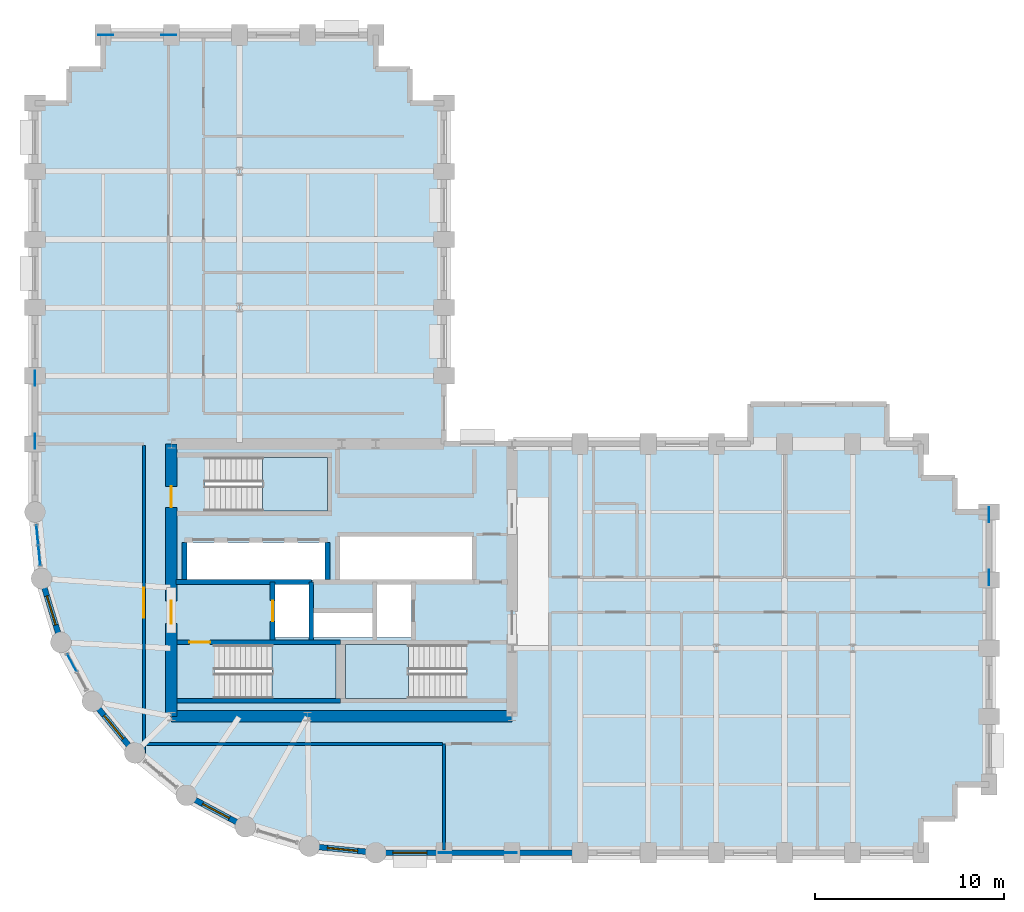
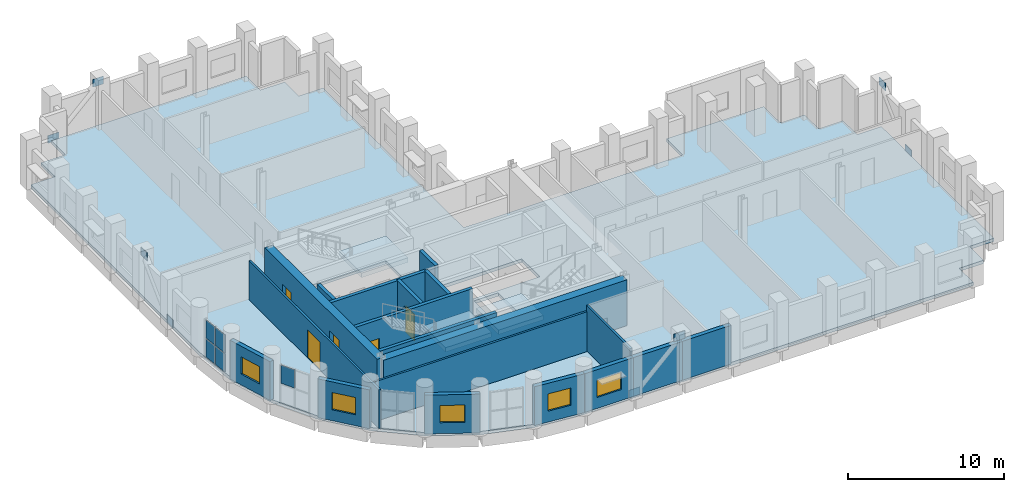
# One storey, part 7 of 13: 19 walls, 13 plates, 5 doors, 5 windows, 4 slabs, 10 openings, 5 elements without a shape of their own.
"""IFC4 building model written with IfcOpenShell, lengths in metres."""

from ifc_helpers import new_model, si_unit, direction, frame, frame_2d, origin, origin_2d, place, context, subcontext, project, spatial, polyline, rectangle, outline, extrude, material, layer, layer_set, type_object, element, fill, aggregate, save


model = new_model("IFC4")

# Units and contexts
model_context = context("Model", 3, precision=1e-05, world=origin(), true_north=direction((0.0, 1.0)))
body_context = subcontext(model_context, "Body", "Model", "MODEL_VIEW")
ifc_project = project(units=[si_unit("LENGTHUNIT", "METRE"), si_unit("AREAUNIT", "SQUARE_METRE"), si_unit("VOLUMEUNIT", "CUBIC_METRE"), si_unit("PLANEANGLEUNIT", "RADIAN"), si_unit("MASSUNIT", "GRAM", prefix="KILO")], contexts=[model_context])

# Site, building, storey
site_placement = place(None, origin())
site = spatial("IfcSite", under=ifc_project, at=site_placement, CompositionType="ELEMENT")
building_placement = place(site_placement, origin())
building = spatial("IfcBuilding", under=site, at=building_placement, Name="Solnavia Interchange Tower", CompositionType="ELEMENT")
storey_placement = place(building_placement, frame((0.0, 0.0, 111.300048828125)))
storey = spatial("IfcBuildingStorey", under=building, at=storey_placement, Name="L27", CompositionType="ELEMENT", Elevation=111.300048828125)

# Curtain wall, plates
ifc_material_1 = material(Name="Aluminium Alloy 6063-T6", Category="aluminium")
ifc_layer_1 = layer(ifc_material_1, 0.239990234375)
ifc_layer_set_1 = layer_set([ifc_layer_1], Name="Aluminium Alloy 6063-T6")
curtain_wall_type = type_object("IfcCurtainWallType", Name="CurtainWall-Drum-CTW2", PredefinedType="NOTDEFINED", material=ifc_layer_set_1)
curtain_wall_1_placement = place(storey_placement, origin())
curtain_wall_1 = element("IfcCurtainWall", 1, at=curtain_wall_1_placement, inside=storey, type_object=curtain_wall_type, Name="CTW-L27-D55 CTW-2 curtain wall", PredefinedType="NOTDEFINED")
ifc_material_2 = material(Name="Double-Glazed Low-E IGU Glass", Category="glass")
ifc_layer_2 = layer(ifc_material_2, 0.031982421875)
ifc_layer_set_2 = layer_set([ifc_layer_2], Name="Double-Glazed Low-E IGU Glass")
plate_type_1 = type_object("IfcPlateType", Name="CW-Panel-Solar-32", PredefinedType="CURTAIN_PANEL", material=ifc_layer_set_2)
plate_1_placement = place(storey_placement, frame((7.319580078125, 20.38623046875, 0.06494140625), z_axis=(0.0, 0.0, 1.0), x_axis=(0.098045297616, -0.995181953019, 0.0)))
plate_1 = element("IfcPlate", 2, at=plate_1_placement, type_object=plate_type_1, Name="CTW-2 panel 1.1", PredefinedType="CURTAIN_PANEL", context=body_context, shape_type="SweptSolid", body=[
    extrude(rectangle(XDim=1.0146484375, YDim=0.031982421875, at=origin_2d()), origin(), (0.0, 0.0, 1.0), 1.41748046875),
])
plate_2_placement = place(storey_placement, frame((7.319580078125, 20.38623046875, 1.54736328125), z_axis=(0.0, 0.0, 1.0), x_axis=(0.098045297616, -0.995181953019, 0.0)))
plate_2 = element("IfcPlate", 3, at=plate_2_placement, type_object=plate_type_1, Name="CTW-2 panel 1.2", PredefinedType="CURTAIN_PANEL", context=body_context, shape_type="SweptSolid", body=[
    extrude(rectangle(XDim=1.0146484375, YDim=0.031982421875, at=origin_2d()), origin(), (0.0, 0.0, 1.0), 1.41748046875),
])
plate_3_placement = place(storey_placement, frame((7.426513671875, 19.3017578125, 0.06494140625), z_axis=(0.0, 0.0, 1.0), x_axis=(0.098045297616, -0.995181953019, 0.0)))
plate_3 = element("IfcPlate", 4, at=plate_3_placement, type_object=plate_type_1, Name="CTW-2 panel 2.1", PredefinedType="CURTAIN_PANEL", context=body_context, shape_type="SweptSolid", body=[
    extrude(rectangle(XDim=1.0146484375, YDim=0.031982421875, at=origin_2d()), origin(), (0.0, 0.0, 1.0), 1.41748046875),
])
plate_4_placement = place(storey_placement, frame((7.426513671875, 19.3017578125, 1.54736328125), z_axis=(0.0, 0.0, 1.0), x_axis=(0.098045297616, -0.995181953019, 0.0)))
plate_4 = element("IfcPlate", 5, at=plate_4_placement, type_object=plate_type_1, Name="CTW-2 panel 2.2", PredefinedType="CURTAIN_PANEL", context=body_context, shape_type="SweptSolid", body=[
    extrude(rectangle(XDim=1.0146484375, YDim=0.031982421875, at=origin_2d()), origin(), (0.0, 0.0, 1.0), 1.41748046875),
])
aggregate(curtain_wall_1, [plate_1, plate_2, plate_3, plate_4])

# Curtain wall, plate
curtain_wall_2_placement = place(storey_placement, origin())
curtain_wall_2 = element("IfcCurtainWall", 6, at=curtain_wall_2_placement, inside=storey, type_object=curtain_wall_type, Name="CTW-L27-D57 CTW-2 curtain wall", PredefinedType="NOTDEFINED")
plate_5_placement = place(storey_placement, frame((9.14501953125, 13.636474609375, 1.54736328125), z_axis=(0.0, 0.0, 1.0), x_axis=(0.471536719402, -0.881846427818, 0.0)))
plate_5 = element("IfcPlate", 7, at=plate_5_placement, type_object=plate_type_1, Name="CTW-2 panel 1.2", PredefinedType="CURTAIN_PANEL", context=body_context, shape_type="SweptSolid", body=[
    extrude(rectangle(XDim=1.014404296875, YDim=0.031982421875, at=origin_2d()), origin(), (0.0, 0.0, 1.0), 1.41748046875),
])
aggregate(curtain_wall_2, [plate_5])

# Plates
ifc_material_3 = material(Name="Steel S460", Category="steel")
ifc_layer_3 = layer(ifc_material_3, 0.035888671875)
ifc_layer_set_3 = layer_set([ifc_layer_3], Name="Steel S460")
plate_type_2 = type_object("IfcPlateType", Name="Plate-Gusset-800x600x36", PredefinedType="USERDEFINED", material=ifc_layer_set_3)
for number, where, z_axis, x_axis, name in (
    (8, (28.93994140625, 3.60009765625, -0.1201171875), (0.0, 0.0, 1.0), (1.0, 0.0, 0.0), "PLT-L27-GP01 Perimeter brace gusset plate"),
    (9, (32.260009765625, 3.60009765625, 3.099853515625), (0.0, 0.0, 1.0), (1.0, 0.0, 0.0), "PLT-L27-GP02 Perimeter brace gusset plate"),
    (10, (7.199951171875, 25.340087890625, -0.1201171875), (0.0, 0.0, 1.0), (0.0, 1.0, 0.0), "PLT-L27-GP03 Perimeter brace gusset plate"),
    (11, (7.199951171875, 28.659912109375, 3.099853515625), (0.0, 0.0, 1.0), (0.0, 1.0, 0.0), "PLT-L27-GP04 Perimeter brace gusset plate"),
    (12, (57.60009765625, 18.139892578125, -0.1201171875), (0.0, 0.0, 1.0), (0.0, 1.0, 0.0), "PLT-L27-GP05 Perimeter brace gusset plate"),
    (13, (57.60009765625, 21.4599609375, 3.099853515625), (0.0, 0.0, 1.0), (0.0, 1.0, 0.0), "PLT-L27-GP06 Perimeter brace gusset plate"),
    (14, (10.93994140625, 46.800048828125, -0.1201171875), (0.0, 0.0, 1.0), (1.0, 0.0, 0.0), "PLT-L27-GP07 Perimeter brace gusset plate"),
    (15, (14.260009765625, 46.800048828125, 3.099853515625), (0.0, 0.0, 1.0), (1.0, 0.0, 0.0), "PLT-L27-GP08 Perimeter brace gusset plate"),
):
    element("IfcPlate", number, at=place(storey_placement, frame(where, z_axis=z_axis, x_axis=x_axis)), inside=storey, type_object=plate_type_2, Name=name, ObjectType="GUSSET PLATE", PredefinedType="USERDEFINED", context=body_context, shape_type="SweptSolid", body=[
        extrude(rectangle(XDim=0.800048828125, YDim=0.035888671875, at=origin_2d()), origin(), (0.0, 0.0, 1.0), 0.60009765625),
    ])

# Stair, slab
ifc_material_4 = material(Name="Concrete C40/50", Category="concrete")
stair_type = type_object("IfcStairType", Name="Stair-Dogleg-RC", PredefinedType="HALF_TURN_STAIR", material=ifc_material_4)
stair_1_placement = place(storey_placement, origin())
stair_1 = element("IfcStair", 16, at=stair_1_placement, inside=storey, type_object=stair_type, Name="L27 Core exit stair 1", PredefinedType="HALF_TURN_STAIR")
ifc_layer_4 = layer(ifc_material_4, 0.35009765625)
ifc_layer_set_4 = layer_set([ifc_layer_4], Name="Concrete C40/50")
slab_type_1 = type_object("IfcSlabType", Name="Slab-StairLanding-350", PredefinedType="LANDING", material=ifc_layer_set_4)
slab_1_placement = place(storey_placement, frame((0.0, 0.0, 1.599853515625)))
slab_1 = element("IfcSlab", 17, at=slab_1_placement, type_object=slab_type_1, Name="ST-1 landing 1", PredefinedType="LANDING", context=body_context, shape_type="SweptSolid", body=[
    extrude(outline(polyline([(19.7080078125, 11.75), (23.10009765625, 11.75), (23.10009765625, 14.590087890625), (19.7080078125, 14.590087890625), (19.7080078125, 11.75)])), origin(), (0.0, 0.0, 1.0), 0.35009765625),
])
aggregate(stair_1, [slab_1])

stair_2_placement = place(storey_placement, origin())
stair_2 = element("IfcStair", 18, at=stair_2_placement, inside=storey, type_object=stair_type, Name="L27 Core exit stair 2", PredefinedType="HALF_TURN_STAIR")
slab_2_placement = place(storey_placement, frame((0.0, 0.0, 1.599853515625)))
slab_2 = element("IfcSlab", 19, at=slab_2_placement, type_object=slab_type_1, Name="ST-2 landing 1", PredefinedType="LANDING", context=body_context, shape_type="SweptSolid", body=[
    extrude(outline(polyline([(23.60009765625, 11.75), (26.94189453125, 11.75), (26.94189453125, 14.590087890625), (23.60009765625, 14.590087890625), (23.60009765625, 11.75)])), origin(), (0.0, 0.0, 1.0), 0.35009765625),
])
aggregate(stair_2, [slab_2])

stair_3_placement = place(storey_placement, origin())
stair_3 = element("IfcStair", 20, at=stair_3_placement, inside=storey, type_object=stair_type, Name="L27 Core exit stair 3", PredefinedType="HALF_TURN_STAIR")
slab_3_placement = place(storey_placement, frame((0.0, 0.0, 1.599853515625)))
slab_3 = element("IfcSlab", 21, at=slab_3_placement, type_object=slab_type_1, Name="ST-3 landing 1", PredefinedType="LANDING", context=body_context, shape_type="SweptSolid", body=[
    extrude(outline(polyline([(19.2080078125, 21.64990234375), (22.64990234375, 21.64990234375), (22.64990234375, 24.489990234375), (19.2080078125, 24.489990234375), (19.2080078125, 21.64990234375)])), origin(), (0.0, 0.0, 1.0), 0.35009765625),
])
aggregate(stair_3, [slab_3])

# Slab
ifc_layer_5 = layer(ifc_material_4, 0.25)
ifc_layer_set_5 = layer_set([ifc_layer_5], Name="Concrete C40/50")
slab_type_2 = type_object("IfcSlabType", Name="Slab-Tower-250", PredefinedType="FLOOR", material=ifc_layer_set_5)
slab_4_placement = place(storey_placement, frame((0.0, 0.0, -0.25)))
element("IfcSlab", 22, at=slab_4_placement, inside=storey, type_object=slab_type_2, Name="SLB-L27-01 Structural floor slab", PredefinedType="FLOOR", context=body_context, shape_type="SweptSolid", body=[
    extrude(outline(polyline([(25.199951171875, 3.60009765625), (54.0, 3.60009765625), (54.0, 5.39990234375), (55.800048828125, 5.39990234375), (55.800048828125, 7.199951171875), (57.60009765625, 7.199951171875), (57.60009765625, 21.60009765625), (55.800048828125, 21.60009765625), (55.800048828125, 23.39990234375), (54.0, 23.39990234375), (54.0, 25.199951171875), (52.199951171875, 25.199951171875), (52.199951171875, 27.300048828125), (45.0, 27.300048828125), (45.0, 25.199951171875), (28.800048828125, 25.199951171875), (28.800048828125, 43.199951171875), (27.0, 43.199951171875), (27.0, 45.0), (25.199951171875, 45.0), (25.199951171875, 46.800048828125), (10.800048828125, 46.800048828125), (10.800048828125, 45.0), (9.0, 45.0), (9.0, 43.199951171875), (7.199951171875, 43.199951171875), (7.199951171875, 21.60009765625), (7.5458984375, 18.087890625), (8.570068359375, 14.7119140625), (10.23388671875, 11.60009765625), (12.471923828125, 8.8720703125), (15.199951171875, 6.634033203125), (18.31201171875, 4.969970703125), (21.68798828125, 3.946044921875), (25.199951171875, 3.60009765625)]), holes=[polyline([(16.675048828125, 11.75), (23.10009765625, 11.75), (23.10009765625, 14.590087890625), (16.675048828125, 14.590087890625), (16.675048828125, 11.75)]), polyline([(23.60009765625, 11.75), (29.97509765625, 11.75), (29.97509765625, 14.590087890625), (23.60009765625, 14.590087890625), (23.60009765625, 11.75)]), polyline([(16.175048828125, 21.64990234375), (22.64990234375, 21.64990234375), (22.64990234375, 24.489990234375), (16.175048828125, 24.489990234375), (16.175048828125, 21.64990234375)]), polyline([(19.8798828125, 14.9599609375), (21.679931640625, 14.9599609375), (21.679931640625, 17.780029296875), (19.8798828125, 17.780029296875), (19.8798828125, 14.9599609375)]), polyline([(25.280029296875, 14.9599609375), (27.080078125, 14.9599609375), (27.080078125, 17.780029296875), (25.280029296875, 17.780029296875), (25.280029296875, 14.9599609375)]), polyline([(21.919921875, 14.9599609375), (25.02001953125, 14.9599609375), (25.02001953125, 16.280029296875), (21.919921875, 16.280029296875), (21.919921875, 14.9599609375)]), polyline([(15.219970703125, 18.02001953125), (22.52001953125, 18.02001953125), (22.52001953125, 20.0), (15.219970703125, 20.0), (15.219970703125, 18.02001953125)]), polyline([(23.300048828125, 18.02001953125), (30.280029296875, 18.02001953125), (30.280029296875, 20.300048828125), (23.300048828125, 20.300048828125), (23.300048828125, 18.02001953125)])]), origin(), (0.0, 0.0, 1.0), 0.25),
])

# Wall, opening, window
ifc_layer_6 = layer(ifc_material_4, 0.300048828125)
ifc_layer_set_6 = layer_set([ifc_layer_6], Name="Concrete C40/50")
wall_type_1 = type_object("IfcWallType", Name="Wall-ExtSpandrel-300", PredefinedType="STANDARD", material=ifc_layer_set_6)
wall_1_placement = place(storey_placement, frame((28.800048828125, 3.60009765625, 0.0), z_axis=(0.0, 0.0, 1.0), x_axis=(-1.0, 0.0, 0.0)))
wall_1 = element("IfcWall", 23, at=wall_1_placement, inside=storey, type_object=wall_type_1, Name="EXW-L27-01 Exterior precast spandrel wall", PredefinedType="STANDARD", context=body_context, shape_type="SweptSolid", body=[
    extrude(rectangle(XDim=3.60009765625, YDim=0.300048828125, at=frame_2d((1.800048828125, 0.0))), origin(), (0.0, 0.0, 1.0), 3.030029296875),
])
opening_1_placement = place(wall_1_placement, frame((0.89990234375, 0.0, 0.85009765625)))
opening_1 = element("IfcOpeningElement", 24, at=opening_1_placement, cuts=wall_1, Name="Opening WIN-02", PredefinedType="OPENING", context=body_context, shape_type="SweptSolid", body=[
    extrude(rectangle(XDim=1.800048828125, YDim=1.35009765625, at=frame_2d((0.89990234375, 0.675048828125))), frame((0.0, 0.16015625, 0.0), z_axis=(0.0, -1.0, 0.0), x_axis=(1.0, 0.0, 0.0)), (0.0, 0.0, 1.0), 0.320068359375),
])
ifc_material_5 = material(Name="Thermal-Break Aluminium & Low-E Glass", Category="aluminium")
window_type_1 = type_object("IfcWindowType", Name="Window-Ribbon-1800x1350", PartitioningType="SINGLE_PANEL", PredefinedType="WINDOW", material=ifc_material_5)
window_1_placement = place(opening_1_placement, origin())
window_1 = element("IfcWindow", 25, at=window_1_placement, inside=storey, type_object=window_type_1, Name="WIN-L27-01 Facade ribbon window", OverallHeight=1.35009765625, OverallWidth=1.800048828125, PartitioningType="SINGLE_PANEL", PredefinedType="WINDOW", context=body_context, shape_type="SweptSolid", body=[
    extrude(rectangle(XDim=1.800048828125, YDim=1.35009765625, at=frame_2d((0.89990234375, 0.675048828125))), frame((0.0, 0.030029296875, 0.0), z_axis=(0.0, -1.0, 0.0), x_axis=(1.0, 0.0, 0.0)), (0.0, 0.0, 1.0), 0.06005859375),
])
fill(opening_1, window_1)

# Walls
wall_2_placement = place(storey_placement, frame((32.39990234375, 3.60009765625, 0.0), z_axis=(0.0, 0.0, 1.0), x_axis=(-1.0, 0.0, 0.0)))
element("IfcWall", 26, at=wall_2_placement, inside=storey, type_object=wall_type_1, Name="EXW-L27-02 Exterior precast spandrel wall", PredefinedType="STANDARD", context=body_context, shape_type="SweptSolid", body=[
    extrude(rectangle(XDim=3.599853515625, YDim=0.300048828125, at=frame_2d((1.7998046875, 0.0))), origin(), (0.0, 0.0, 1.0), 3.030029296875),
])
wall_3_placement = place(storey_placement, frame((36.0, 3.60009765625, 0.0), z_axis=(0.0, 0.0, 1.0), x_axis=(-1.0, 0.0, 0.0)))
element("IfcWall", 27, at=wall_3_placement, inside=storey, type_object=wall_type_1, Name="EXW-L27-03 Exterior precast spandrel wall", PredefinedType="STANDARD", context=body_context, shape_type="SweptSolid", body=[
    extrude(rectangle(XDim=3.60009765625, YDim=0.300048828125, at=frame_2d((1.800048828125, 0.0))), origin(), (0.0, 0.0, 1.0), 3.030029296875),
])

# Wall, opening, window
wall_4_placement = place(storey_placement, frame((8.570068359375, 14.7119140625, 0.0), z_axis=(0.0, 0.0, 1.0), x_axis=(-0.290305086481, 0.956934144423, 0.0)))
wall_4 = element("IfcWall", 28, at=wall_4_placement, inside=storey, type_object=wall_type_1, Name="EXW-L27-56 Exterior precast spandrel wall", PredefinedType="STANDARD", context=body_context, shape_type="SweptSolid", body=[
    extrude(rectangle(XDim=3.52783203125, YDim=0.300048828125, at=frame_2d((1.763916015625, 0.0))), origin(), (0.0, 0.0, 1.0), 3.030029296875),
])
opening_2_placement = place(wall_4_placement, frame((0.964111328125, 0.0, 0.85009765625)))
opening_2 = element("IfcOpeningElement", 29, at=opening_2_placement, cuts=wall_4, Name="Opening WIN-04", PredefinedType="OPENING", context=body_context, shape_type="SweptSolid", body=[
    extrude(rectangle(XDim=1.60009765625, YDim=1.35009765625, at=frame_2d((0.800048828125, 0.675048828125))), frame((0.0, 0.16015625, 0.0), z_axis=(0.0, -1.0, 0.0), x_axis=(1.0, 0.0, 0.0)), (0.0, 0.0, 1.0), 0.320068359375),
])
window_type_2 = type_object("IfcWindowType", Name="Window-Drum-1600x1350", PartitioningType="SINGLE_PANEL", PredefinedType="WINDOW", material=ifc_material_5)
window_2_placement = place(opening_2_placement, origin())
window_2 = element("IfcWindow", 30, at=window_2_placement, inside=storey, type_object=window_type_2, Name="WIN-L27-56 Facade ribbon window", OverallHeight=1.35009765625, OverallWidth=1.60009765625, PartitioningType="SINGLE_PANEL", PredefinedType="WINDOW", context=body_context, shape_type="SweptSolid", body=[
    extrude(rectangle(XDim=1.60009765625, YDim=1.35009765625, at=frame_2d((0.800048828125, 0.675048828125))), frame((0.0, 0.030029296875, 0.0), z_axis=(0.0, -1.0, 0.0), x_axis=(1.0, 0.0, 0.0)), (0.0, 0.0, 1.0), 0.06005859375),
])
fill(opening_2, window_2)

wall_5_placement = place(storey_placement, frame((12.471923828125, 8.8720703125, 0.0), z_axis=(0.0, 0.0, 1.0), x_axis=(-0.634258295121, 0.773121216285, 0.0)))
wall_5 = element("IfcWall", 31, at=wall_5_placement, inside=storey, type_object=wall_type_1, Name="EXW-L27-58 Exterior precast spandrel wall", PredefinedType="STANDARD", context=body_context, shape_type="SweptSolid", body=[
    extrude(rectangle(XDim=3.528564453125, YDim=0.300048828125, at=frame_2d((1.76416015625, 0.0))), origin(), (0.0, 0.0, 1.0), 3.030029296875),
])
opening_3_placement = place(wall_5_placement, frame((0.964111328125, 0.0, 0.85009765625)))
opening_3 = element("IfcOpeningElement", 32, at=opening_3_placement, cuts=wall_5, Name="Opening WIN-04", PredefinedType="OPENING", context=body_context, shape_type="SweptSolid", body=[
    extrude(rectangle(XDim=1.60009765625, YDim=1.35009765625, at=frame_2d((0.800048828125, 0.675048828125))), frame((0.0, 0.16015625, 0.0), z_axis=(0.0, -1.0, 0.0), x_axis=(1.0, 0.0, 0.0)), (0.0, 0.0, 1.0), 0.320068359375),
])
window_3_placement = place(opening_3_placement, origin())
window_3 = element("IfcWindow", 33, at=window_3_placement, inside=storey, type_object=window_type_2, Name="WIN-L27-58 Facade ribbon window", OverallHeight=1.35009765625, OverallWidth=1.60009765625, PartitioningType="SINGLE_PANEL", PredefinedType="WINDOW", context=body_context, shape_type="SweptSolid", body=[
    extrude(rectangle(XDim=1.60009765625, YDim=1.35009765625, at=frame_2d((0.800048828125, 0.675048828125))), frame((0.0, 0.030029296875, 0.0), z_axis=(0.0, -1.0, 0.0), x_axis=(1.0, 0.0, 0.0)), (0.0, 0.0, 1.0), 0.06005859375),
])
fill(opening_3, window_3)

wall_6_placement = place(storey_placement, frame((18.31201171875, 4.969970703125, 0.0), z_axis=(0.0, 0.0, 1.0), x_axis=(-0.881846862014, 0.471535907389, 0.0)))
wall_6 = element("IfcWall", 34, at=wall_6_placement, inside=storey, type_object=wall_type_1, Name="EXW-L27-60 Exterior precast spandrel wall", PredefinedType="STANDARD", context=body_context, shape_type="SweptSolid", body=[
    extrude(rectangle(XDim=3.529052734375, YDim=0.300048828125, at=frame_2d((1.7646484375, 0.0))), origin(), (0.0, 0.0, 1.0), 3.030029296875),
])
opening_4_placement = place(wall_6_placement, frame((0.964111328125, 0.0, 0.85009765625)))
opening_4 = element("IfcOpeningElement", 35, at=opening_4_placement, cuts=wall_6, Name="Opening WIN-04", PredefinedType="OPENING", context=body_context, shape_type="SweptSolid", body=[
    extrude(rectangle(XDim=1.60009765625, YDim=1.35009765625, at=frame_2d((0.800048828125, 0.675048828125))), frame((0.0, 0.16015625, 0.0), z_axis=(0.0, -1.0, 0.0), x_axis=(1.0, 0.0, 0.0)), (0.0, 0.0, 1.0), 0.320068359375),
])
window_4_placement = place(opening_4_placement, origin())
window_4 = element("IfcWindow", 36, at=window_4_placement, inside=storey, type_object=window_type_2, Name="WIN-L27-60 Facade ribbon window", OverallHeight=1.35009765625, OverallWidth=1.60009765625, PartitioningType="SINGLE_PANEL", PredefinedType="WINDOW", context=body_context, shape_type="SweptSolid", body=[
    extrude(rectangle(XDim=1.60009765625, YDim=1.35009765625, at=frame_2d((0.800048828125, 0.675048828125))), frame((0.0, 0.030029296875, 0.0), z_axis=(0.0, -1.0, 0.0), x_axis=(1.0, 0.0, 0.0)), (0.0, 0.0, 1.0), 0.06005859375),
])
fill(opening_4, window_4)

wall_7_placement = place(storey_placement, frame((25.199951171875, 3.60009765625, 0.0), z_axis=(0.0, 0.0, 1.0), x_axis=(-0.995183369056, 0.098030923459, 0.0)))
wall_7 = element("IfcWall", 37, at=wall_7_placement, inside=storey, type_object=wall_type_1, Name="EXW-L27-62 Exterior precast spandrel wall", PredefinedType="STANDARD", context=body_context, shape_type="SweptSolid", body=[
    extrude(rectangle(XDim=3.529052734375, YDim=0.300048828125, at=frame_2d((1.7646484375, 0.0))), origin(), (0.0, 0.0, 1.0), 3.030029296875),
])
opening_5_placement = place(wall_7_placement, frame((0.965087890625, 0.0, 0.85009765625)))
opening_5 = element("IfcOpeningElement", 38, at=opening_5_placement, cuts=wall_7, Name="Opening WIN-04", PredefinedType="OPENING", context=body_context, shape_type="SweptSolid", body=[
    extrude(rectangle(XDim=1.60009765625, YDim=1.35009765625, at=frame_2d((0.800048828125, 0.675048828125))), frame((0.0, 0.16015625, 0.0), z_axis=(0.0, -1.0, 0.0), x_axis=(1.0, 0.0, 0.0)), (0.0, 0.0, 1.0), 0.320068359375),
])
window_5_placement = place(opening_5_placement, origin())
window_5 = element("IfcWindow", 39, at=window_5_placement, inside=storey, type_object=window_type_2, Name="WIN-L27-62 Facade ribbon window", OverallHeight=1.35009765625, OverallWidth=1.60009765625, PartitioningType="SINGLE_PANEL", PredefinedType="WINDOW", context=body_context, shape_type="SweptSolid", body=[
    extrude(rectangle(XDim=1.60009765625, YDim=1.35009765625, at=frame_2d((0.800048828125, 0.675048828125))), frame((0.0, 0.030029296875, 0.0), z_axis=(0.0, -1.0, 0.0), x_axis=(1.0, 0.0, 0.0)), (0.0, 0.0, 1.0), 0.06005859375),
])
fill(opening_5, window_5)

# Wall
ifc_material_6 = material(Name="Gypsum Plasterboard & Steel Stud", Category="steel")
ifc_layer_7 = layer(ifc_material_6, 0.14990234375)
ifc_layer_set_7 = layer_set([ifc_layer_7], Name="Gypsum Plasterboard & Steel Stud")
wall_type_2 = type_object("IfcWallType", Name="Wall-Partition-150", PredefinedType="PARTITIONING", material=ifc_layer_set_7)
wall_8_placement = place(storey_placement, frame((28.800048828125, 9.35009765625, 0.0), z_axis=(0.0, 0.0, 1.0), x_axis=(0.0, -1.0, 0.0)))
element("IfcWall", 40, at=wall_8_placement, inside=storey, type_object=wall_type_2, Name="PTW-L27-08 Interior partition wall", PredefinedType="PARTITIONING", context=body_context, shape_type="SweptSolid", body=[
    extrude(rectangle(XDim=5.59619140625, YDim=0.14990234375, at=frame_2d((2.798095703125, 0.0))), origin(), (0.0, 0.0, 1.0), 3.56494140625),
])

# Wall, opening, door
wall_9_placement = place(storey_placement, frame((12.949951171875, 8.47998046875, 0.0), z_axis=(0.0, 0.0, 1.0), x_axis=(0.0, 1.0, 0.0)))
wall_9 = element("IfcWall", 41, at=wall_9_placement, inside=storey, type_object=wall_type_2, Name="PTW-L27-09 Interior partition wall", PredefinedType="PARTITIONING", context=body_context, shape_type="SweptSolid", body=[
    extrude(rectangle(XDim=16.64111328125, YDim=0.14990234375, at=frame_2d((8.320556640625, 0.0))), origin(), (0.0, 0.0, 1.0), 3.030029296875),
])
opening_6_placement = place(wall_9_placement, frame((7.52001953125, 0.0, 0.0)))
opening_6 = element("IfcOpeningElement", 42, at=opening_6_placement, cuts=wall_9, Name="Opening DR-08", PredefinedType="OPENING", context=body_context, shape_type="SweptSolid", body=[
    extrude(rectangle(XDim=1.60009765625, YDim=2.199951171875, at=frame_2d((0.800048828125, 1.10009765625))), frame((0.0, 0.0849609375, 0.0), z_axis=(0.0, -1.0, 0.0), x_axis=(1.0, 0.0, 0.0)), (0.0, 0.0, 1.0), 0.169921875),
])
ifc_material_7 = material(Name="Thermally Broken Aluminium & Toughened Glass", Category="aluminium")
door_type_1 = type_object("IfcDoorType", Name="Door-RetailDouble-1600x2200", OperationType="DOUBLE_DOOR_SINGLE_SWING", PredefinedType="DOOR", material=ifc_material_7)
door_1_placement = place(opening_6_placement, origin())
door_1 = element("IfcDoor", 43, at=door_1_placement, inside=storey, type_object=door_type_1, Name="DR-L27-03 Interior room door", OperationType="DOUBLE_DOOR_SINGLE_SWING", OverallHeight=2.199951171875, OverallWidth=1.60009765625, PredefinedType="DOOR", context=body_context, shape_type="SweptSolid", body=[
    extrude(rectangle(XDim=1.60009765625, YDim=2.199951171875, at=frame_2d((0.800048828125, 1.10009765625))), frame((0.0, 0.02490234375, 0.0), z_axis=(0.0, -1.0, 0.0), x_axis=(1.0, 0.0, 0.0)), (0.0, 0.0, 1.0), 0.050048828125),
])
fill(opening_6, door_1)

# Walls
wall_10_placement = place(storey_placement, frame((13.080078125, 9.35009765625, 0.0), z_axis=(0.0, 0.0, 1.0), x_axis=(1.0, 0.0, 0.0)))
element("IfcWall", 44, at=wall_10_placement, inside=storey, type_object=wall_type_2, Name="PTW-L27-10 Interior partition wall", PredefinedType="PARTITIONING", context=body_context, shape_type="SweptSolid", body=[
    extrude(rectangle(XDim=15.640869140625, YDim=0.14990234375, at=frame_2d((7.8203125, 0.0))), origin(), (0.0, 0.0, 1.0), 3.10986328125),
])
ifc_layer_8 = layer(ifc_material_4, 0.25)
ifc_layer_set_8 = layer_set([ifc_layer_8], Name="Concrete C40/50")
wall_type_3 = type_object("IfcWallType", Name="Wall-ShaftCore-250", PredefinedType="SHEAR", material=ifc_layer_set_8)
wall_11_placement = place(storey_placement, frame((14.699951171875, 11.625, 0.0), z_axis=(0.0, 0.0, 1.0), x_axis=(1.0, 0.0, 0.0)))
element("IfcWall", 45, at=wall_11_placement, inside=storey, type_object=wall_type_3, Name="SHW-L27-ST1S Core shear wall", PredefinedType="SHEAR", context=body_context, shape_type="SweptSolid", body=[
    extrude(rectangle(XDim=8.650146484375, YDim=0.25, at=frame_2d((4.3251953125, 0.0))), origin(), (0.0, 0.0, 1.0), 3.579833984375),
])

# Wall, opening, door
wall_12_placement = place(storey_placement, frame((14.699951171875, 14.715087890625, 0.0), z_axis=(0.0, 0.0, 1.0), x_axis=(1.0, 0.0, 0.0)))
wall_12 = element("IfcWall", 46, at=wall_12_placement, inside=storey, type_object=wall_type_3, Name="SHW-L27-ST1N Core shear wall", PredefinedType="SHEAR", context=body_context, shape_type="SweptSolid", body=[
    extrude(rectangle(XDim=8.650146484375, YDim=0.25, at=frame_2d((4.3251953125, 0.0))), origin(), (0.0, 0.0, 1.0), 3.579833984375),
])
opening_7_placement = place(wall_12_placement, frame((0.655029296875, 0.0, 0.0)))
opening_7 = element("IfcOpeningElement", 47, at=opening_7_placement, cuts=wall_12, Name="Opening DR-01", PredefinedType="OPENING", context=body_context, shape_type="SweptSolid", body=[
    extrude(rectangle(XDim=1.10009765625, YDim=2.10009765625, at=frame_2d((0.550048828125, 1.050048828125))), frame((0.0, 0.135009765625, 0.0), z_axis=(0.0, -1.0, 0.0), x_axis=(1.0, 0.0, 0.0)), (0.0, 0.0, 1.0), 0.27001953125),
])
ifc_material_8 = material(Name="Steel Fire-Rated Leaf & Frame", Category="steel")
door_type_2 = type_object("IfcDoorType", Name="Door-StairFire-1100x2100", OperationType="SINGLE_SWING_LEFT", PredefinedType="DOOR", material=ifc_material_8)
door_2_placement = place(opening_7_placement, origin())
door_2 = element("IfcDoor", 48, at=door_2_placement, inside=storey, type_object=door_type_2, Name="DR-L27-ST1 Core fire door", OperationType="SINGLE_SWING_LEFT", OverallHeight=2.10009765625, OverallWidth=1.10009765625, PredefinedType="DOOR", context=body_context, shape_type="SweptSolid", body=[
    extrude(rectangle(XDim=1.10009765625, YDim=2.10009765625, at=frame_2d((0.550048828125, 1.050048828125))), frame((0.0, 0.02490234375, 0.0), z_axis=(0.0, -1.0, 0.0), x_axis=(1.0, 0.0, 0.0)), (0.0, 0.0, 1.0), 0.050048828125),
])
fill(opening_7, door_2)

# Wall
ifc_layer_9 = layer(ifc_material_4, 0.25)
ifc_layer_set_9 = layer_set([ifc_layer_9], Name="Concrete C40/50")
wall_type_4 = type_object("IfcWallType", Name="Wall-ShaftPart-250", PredefinedType="PARTITIONING", material=ifc_layer_set_9)
wall_13_placement = place(storey_placement, frame((14.64990234375, 17.89990234375, 0.0), z_axis=(0.0, 0.0, 1.0), x_axis=(1.0, 0.0, 0.0)))
element("IfcWall", 49, at=wall_13_placement, inside=storey, type_object=wall_type_4, Name="SHW-L27-FFLW-N Core shaft wall", PredefinedType="PARTITIONING", context=body_context, shape_type="SweptSolid", body=[
    extrude(rectangle(XDim=7.150146484375, YDim=0.25, at=frame_2d((3.5751953125, 0.0))), origin(), (0.0, 0.0, 1.0), 3.56494140625),
])

# Wall, opening, door
wall_14_placement = place(storey_placement, frame((19.75, 14.840087890625, 0.0), z_axis=(0.0, 0.0, 1.0), x_axis=(0.0, 1.0, 0.0)))
wall_14 = element("IfcWall", 50, at=wall_14_placement, inside=storey, type_object=wall_type_4, Name="SHW-L27-FFL1-W Core shaft wall", PredefinedType="PARTITIONING", context=body_context, shape_type="SweptSolid", body=[
    extrude(rectangle(XDim=3.059814453125, YDim=0.25, at=frame_2d((1.52978515625, 0.0))), origin(), (0.0, 0.0, 1.0), 3.56494140625),
])
opening_8_placement = place(wall_14_placement, frame((0.97998046875, 0.0, 0.0)))
opening_8 = element("IfcOpeningElement", 51, at=opening_8_placement, cuts=wall_14, Name="Opening LD-01", PredefinedType="OPENING", context=body_context, shape_type="SweptSolid", body=[
    extrude(rectangle(XDim=1.10009765625, YDim=2.10009765625, at=frame_2d((0.550048828125, 1.050048828125))), frame((0.0, 0.135009765625, 0.0), z_axis=(0.0, -1.0, 0.0), x_axis=(1.0, 0.0, 0.0)), (0.0, 0.0, 1.0), 0.27001953125),
])
ifc_material_9 = material(Name="Brushed Stainless Steel Sliding Door", Category="steel")
door_type_3 = type_object("IfcDoorType", Name="Door-LiftLanding-1100x2100", OperationType="SLIDING_TO_LEFT", PredefinedType="DOOR", material=ifc_material_9)
door_3_placement = place(opening_8_placement, origin())
door_3 = element("IfcDoor", 52, at=door_3_placement, inside=storey, type_object=door_type_3, Name="LD-L27-FFL1 Lift landing sliding door", OperationType="SLIDING_TO_LEFT", OverallHeight=2.10009765625, OverallWidth=1.10009765625, PredefinedType="DOOR", context=body_context, shape_type="SweptSolid", body=[
    extrude(rectangle(XDim=1.10009765625, YDim=2.10009765625, at=frame_2d((0.550048828125, 1.050048828125))), frame((0.0, 0.02490234375, 0.0), z_axis=(0.0, -1.0, 0.0), x_axis=(1.0, 0.0, 0.0)), (0.0, 0.0, 1.0), 0.050048828125),
])
fill(opening_8, door_3)

# Walls
wall_15_placement = place(storey_placement, frame((21.800048828125, 14.840087890625, 0.0), z_axis=(0.0, 0.0, 1.0), x_axis=(0.0, 1.0, 0.0)))
element("IfcWall", 53, at=wall_15_placement, inside=storey, type_object=wall_type_4, Name="SHW-L27-FFL1-E Core shaft wall", PredefinedType="PARTITIONING", context=body_context, shape_type="SweptSolid", body=[
    extrude(rectangle(XDim=3.059814453125, YDim=0.25, at=frame_2d((1.52978515625, 0.0))), origin(), (0.0, 0.0, 1.0), 3.56494140625),
])
for number, where, z_axis, x_axis, name in (
    (54, (15.10009765625, 18.02490234375, 0.0), (0.0, 0.0, 1.0), (0.0, 1.0, 0.0), "SHW-L27-B1W Core shaft wall"),
    (55, (22.64990234375, 18.02490234375, 0.0), (0.0, 0.0, 1.0), (0.0, 1.0, 0.0), "SHW-L27-B1E Core shaft wall"),
):
    element("IfcWall", number, at=place(storey_placement, frame(where, z_axis=z_axis, x_axis=x_axis)), inside=storey, type_object=wall_type_4, Name=name, PredefinedType="PARTITIONING", context=body_context, shape_type="SweptSolid", body=[
        extrude(rectangle(XDim=1.97509765625, YDim=0.25, at=frame_2d((0.987548828125, 0.0))), origin(), (0.0, 0.0, 1.0), 3.56494140625),
    ])
ifc_material_10 = material(Name="Concrete C60/75", Category="concrete")
ifc_layer_10 = layer(ifc_material_10, 0.60009765625)
ifc_layer_set_10 = layer_set([ifc_layer_10], Name="Concrete C60/75")
wall_type_5 = type_object("IfcWallType", Name="Wall-ShearCore-600", PredefinedType="SHEAR", material=ifc_layer_set_10)
wall_16_placement = place(storey_placement, frame((14.39990234375, 10.800048828125, 0.0), z_axis=(0.0, 0.0, 1.0), x_axis=(1.0, 0.0, 0.0)))
element("IfcWall", 56, at=wall_16_placement, inside=storey, type_object=wall_type_5, Name="CRW-L27-S Core shear wall", PredefinedType="SHEAR", context=body_context, shape_type="SweptSolid", body=[
    extrude(rectangle(XDim=18.0, YDim=0.60009765625, at=frame_2d((9.0, 0.0))), origin(), (0.0, 0.0, 1.0), 3.579833984375),
])

# Wall, openings, doors
wall_17_placement = place(storey_placement, frame((14.39990234375, 10.800048828125, 0.0), z_axis=(0.0, 0.0, 1.0), x_axis=(0.0, 1.0, 0.0)))
wall_17 = element("IfcWall", 57, at=wall_17_placement, inside=storey, type_object=wall_type_5, Name="CRW-L27-W Core shear wall", PredefinedType="SHEAR", context=body_context, shape_type="SweptSolid", body=[
    extrude(rectangle(XDim=14.39990234375, YDim=0.60009765625, at=frame_2d((7.199951171875, 0.0))), origin(), (0.0, 0.0, 1.0), 3.579833984375),
])
opening_9_placement = place(wall_17_placement, frame((11.050048828125, 0.0, 0.0)))
opening_9 = element("IfcOpeningElement", 58, at=opening_9_placement, cuts=wall_17, Name="Opening DR-01", PredefinedType="OPENING", context=body_context, shape_type="SweptSolid", body=[
    extrude(rectangle(XDim=1.10009765625, YDim=2.10009765625, at=frame_2d((0.550048828125, 1.050048828125))), frame((0.0, 0.31005859375, 0.0), z_axis=(0.0, -1.0, 0.0), x_axis=(1.0, 0.0, 0.0)), (0.0, 0.0, 1.0), 0.6201171875),
])
opening_10_placement = place(wall_17_placement, frame((4.89990234375, 0.0, 0.0)))
opening_10 = element("IfcOpeningElement", 59, at=opening_10_placement, cuts=wall_17, Name="Opening DR-02", PredefinedType="OPENING", context=body_context, shape_type="SweptSolid", body=[
    extrude(rectangle(XDim=1.199951171875, YDim=2.10009765625, at=frame_2d((0.60009765625, 1.050048828125))), frame((0.0, 0.31005859375, 0.0), z_axis=(0.0, -1.0, 0.0), x_axis=(1.0, 0.0, 0.0)), (0.0, 0.0, 1.0), 0.6201171875),
])
ifc_material_11 = material(Name="Steel Fire-Rated Vision-Panel Door", Category="steel")
door_type_4 = type_object("IfcDoorType", Name="Door-LobbyFire-1200x2100", OperationType="SINGLE_SWING_RIGHT", PredefinedType="DOOR", material=ifc_material_11)
door_4_placement = place(opening_10_placement, origin())
door_4 = element("IfcDoor", 60, at=door_4_placement, inside=storey, type_object=door_type_4, Name="DR-L27-FFL1W Core fire door", OperationType="SINGLE_SWING_RIGHT", OverallHeight=2.10009765625, OverallWidth=1.199951171875, PredefinedType="DOOR", context=body_context, shape_type="SweptSolid", body=[
    extrude(rectangle(XDim=1.199951171875, YDim=2.10009765625, at=frame_2d((0.60009765625, 1.050048828125))), frame((0.0, 0.02490234375, 0.0), z_axis=(0.0, -1.0, 0.0), x_axis=(1.0, 0.0, 0.0)), (0.0, 0.0, 1.0), 0.050048828125),
])
fill(opening_10, door_4)
door_5_placement = place(opening_9_placement, origin())
door_5 = element("IfcDoor", 61, at=door_5_placement, inside=storey, type_object=door_type_2, Name="DR-L27-ST3 Core fire door", OperationType="SINGLE_SWING_RIGHT", OverallHeight=2.10009765625, OverallWidth=1.10009765625, PredefinedType="DOOR", context=body_context, shape_type="SweptSolid", body=[
    extrude(rectangle(XDim=1.10009765625, YDim=2.10009765625, at=frame_2d((0.550048828125, 1.050048828125))), frame((0.0, 0.02490234375, 0.0), z_axis=(0.0, -1.0, 0.0), x_axis=(1.0, 0.0, 0.0)), (0.0, 0.0, 1.0), 0.050048828125),
])
fill(opening_9, door_5)

save(model, "model.ifc")
